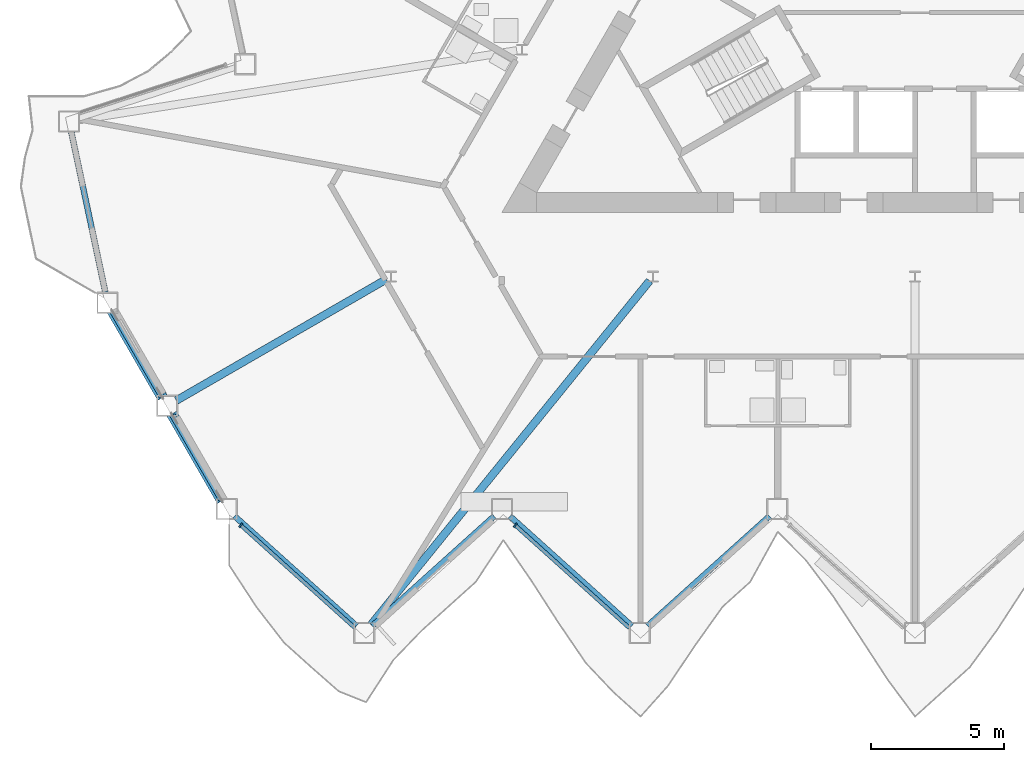
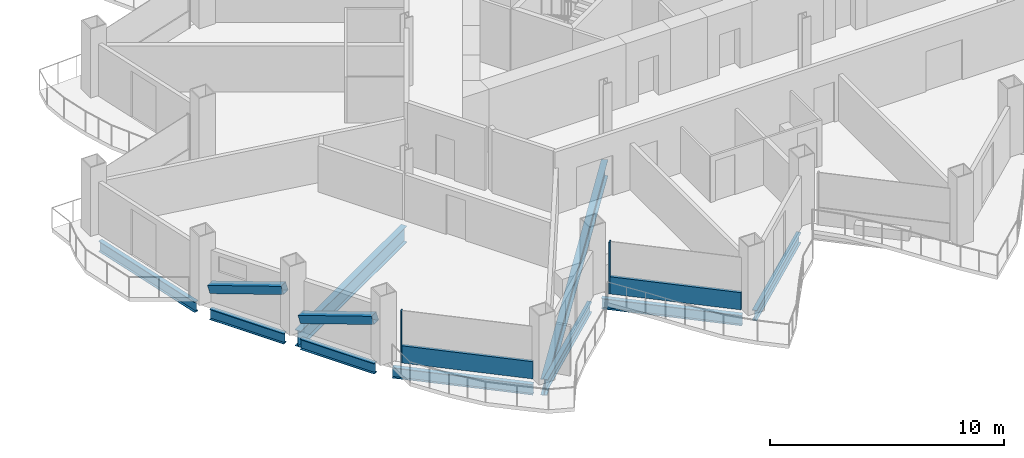
# One storey, part 3 of 24: 9 beams, 6 members, 2 elements without a shape of their own.
"""IFC4 building model written with IfcOpenShell, lengths in metres."""

from ifc_helpers import new_model, si_unit, direction, frame, origin, origin_2d, place, context, subcontext, project, spatial, rectangle, hollow_rectangle, i_section, extrude, material, layer, layer_set, material_profile, profile_set, type_object, element, aggregate, save


model = new_model("IFC4")

# Units and contexts
model_context = context("Model", 3, precision=1e-05, world=origin(), true_north=direction((0.0, 1.0)))
body_context = subcontext(model_context, "Body", "Model", "MODEL_VIEW")
ifc_project = project(units=[si_unit("LENGTHUNIT", "METRE"), si_unit("AREAUNIT", "SQUARE_METRE"), si_unit("VOLUMEUNIT", "CUBIC_METRE"), si_unit("PLANEANGLEUNIT", "RADIAN"), si_unit("MASSUNIT", "GRAM", prefix="KILO")], contexts=[model_context])

# Site, building, storey
site_placement = place(None, origin())
site = spatial("IfcSite", under=ifc_project, at=site_placement, CompositionType="ELEMENT")
building_placement = place(site_placement, origin())
building = spatial("IfcBuilding", under=site, at=building_placement, Name="Cormorant Prow Tower", CompositionType="ELEMENT")
storey_placement = place(building_placement, frame((0.0, 0.0, 205.199951171875)))
storey = spatial("IfcBuildingStorey", under=building, at=storey_placement, Name="L45", CompositionType="ELEMENT", Elevation=205.199951171875)

# Members
ifc_material_1 = material(Name="Structural steel ASTM A500 Gr C", Category="steel")
ifc_material_profile_1 = material_profile(ifc_material_1, hollow_rectangle(XDim=0.406494140625, YDim=0.406494140625, WallThickness=0.01171875, at=origin_2d()), Name="HSS16x16x1/2")
ifc_profile_set_1 = profile_set([ifc_material_profile_1], Name="Structural steel ASTM A500 Gr C")
member_type_1 = type_object("IfcMemberType", Name="Chamfer brace HSS16x16x1/2", PredefinedType="BRACE", material=ifc_profile_set_1)
member_1_placement = place(storey_placement, frame((-30.08544921875, -12.689453125, 0.739990234375), z_axis=(0.473983276796, -0.820989698857, 0.31830137871), x_axis=(0.866032413668, 0.499987858329, 0.0)))
element("IfcMember", 1, at=member_1_placement, inside=storey, type_object=member_type_1, Name="Chamfer brace BR2 at WSW00 L45", PredefinedType="BRACE", context=body_context, shape_type="SweptSolid", body=[
    extrude(hollow_rectangle(XDim=0.406494140625, YDim=0.406494140625, WallThickness=0.01171875, at=origin_2d()), origin(), (0.0, 0.0, 1.0), 3.8359375),
])
member_2_placement = place(storey_placement, frame((-27.850341796875, -16.56103515625, 0.739990234375), z_axis=(0.47400804529, -0.820968949664, 0.318318011883), x_axis=(0.866015628144, 0.500016931523, 0.0)))
element("IfcMember", 2, at=member_2_placement, inside=storey, type_object=member_type_1, Name="Chamfer brace BR2 at WSW01 L45", PredefinedType="BRACE", context=body_context, shape_type="SweptSolid", body=[
    extrude(hollow_rectangle(XDim=0.406494140625, YDim=0.406494140625, WallThickness=0.01171875, at=origin_2d()), origin(), (0.0, 0.0, 1.0), 3.835693359375),
])

# Curtain wall, member
ifc_material_2 = material(Name="Aluminium 6063-T6", Category="aluminium")
ifc_layer = layer(ifc_material_2, 0.179931640625)
ifc_layer_set = layer_set([ifc_layer], Name="Aluminium 6063-T6")
curtain_wall_type = type_object("IfcCurtainWallType", Name="Hotel unitised curtain wall 180", PredefinedType="NOTDEFINED", material=ifc_layer_set)
curtain_wall_1_placement = place(storey_placement, origin())
curtain_wall_1 = element("IfcCurtainWall", 3, at=curtain_wall_1_placement, inside=storey, type_object=curtain_wall_type, Name="Hotel curtain wall S00", PredefinedType="NOTDEFINED")
ifc_material_3 = material(Name="Aluminium 6063-T6", Category="aluminium")
ifc_material_profile_2 = material_profile(ifc_material_3, rectangle(XDim=0.179931640625, YDim=0.06005859375, at=origin_2d()), Name="Hotel mullion 60x180")
ifc_profile_set_2 = profile_set([ifc_material_profile_2], Name="Aluminium 6063-T6")
member_type_2 = type_object("IfcMemberType", Name="Hotel mullion 60x180", PredefinedType="MULLION", material=ifc_profile_set_2)
member_3_placement = place(storey_placement, frame((-25.295654296875, -20.68017578125, 0.0), z_axis=(0.0, 0.0, 1.0), x_axis=(0.669130667631, 0.743144770308, 0.0)))
member_3 = element("IfcMember", 4, at=member_3_placement, type_object=member_type_2, Name="Hotel mullion S00", PredefinedType="MULLION", context=body_context, shape_type="SweptSolid", body=[
    extrude(rectangle(XDim=0.179931640625, YDim=0.06005859375, at=origin_2d()), origin(), (0.0, 0.0, 1.0), 2.700927734375),
])

curtain_wall_2_placement = place(storey_placement, origin())
curtain_wall_2 = element("IfcCurtainWall", 5, at=curtain_wall_2_placement, inside=storey, type_object=curtain_wall_type, Name="Hotel curtain wall S02", PredefinedType="NOTDEFINED")
member_4_placement = place(storey_placement, frame((-14.999755859375, -20.68017578125, 0.0), z_axis=(0.0, 0.0, 1.0), x_axis=(0.669130667631, 0.743144770308, 0.0)))
member_4 = element("IfcMember", 6, at=member_4_placement, type_object=member_type_2, Name="Hotel mullion S02", PredefinedType="MULLION", context=body_context, shape_type="SweptSolid", body=[
    extrude(rectangle(XDim=0.179931640625, YDim=0.06005859375, at=origin_2d()), origin(), (0.0, 0.0, 1.0), 2.700927734375),
])

# Member
ifc_material_4 = material(Name="Terracotta", Category="masonry")
ifc_material_profile_3 = material_profile(ifc_material_4, rectangle(XDim=0.139892578125, YDim=0.89990234375, at=origin_2d()), Name="Hotel terracotta spandrel rail 140x900")
ifc_profile_set_3 = profile_set([ifc_material_profile_3], Name="Terracotta")
member_type_3 = type_object("IfcMemberType", Name="Hotel terracotta spandrel rail 140x900", PredefinedType="USERDEFINED", material=ifc_profile_set_3)
member_5_placement = place(storey_placement, frame((-25.2734375, -20.7001953125, 0.449951171875), z_axis=(0.743154335217, -0.669120044572, 0.0), x_axis=(0.669120044572, 0.743154335217, 0.0)))
member_5 = element("IfcMember", 7, at=member_5_placement, type_object=member_type_3, Name="Hotel spandrel rail S00", ObjectType="TRANSOM", PredefinedType="USERDEFINED", context=body_context, shape_type="SweptSolid", body=[
    extrude(rectangle(XDim=0.139892578125, YDim=0.89990234375, at=origin_2d()), origin(), (0.0, 0.0, 1.0), 5.7314453125),
])

aggregate(curtain_wall_1, [member_3, member_5])

member_6_placement = place(storey_placement, frame((-14.977294921875, -20.7001953125, 0.449951171875), z_axis=(0.743135262532, -0.669141226933, 0.0), x_axis=(0.669141226933, 0.743135262532, 0.0)))
member_6 = element("IfcMember", 8, at=member_6_placement, type_object=member_type_3, Name="Hotel spandrel rail S02", ObjectType="TRANSOM", PredefinedType="USERDEFINED", context=body_context, shape_type="SweptSolid", body=[
    extrude(rectangle(XDim=0.139892578125, YDim=0.89990234375, at=origin_2d()), origin(), (0.0, 0.0, 1.0), 5.731201171875),
])

aggregate(curtain_wall_2, [member_4, member_6])

# Beams
ifc_material_5 = material(Name="Structural steel ASTM A992 Gr 50", Category="steel")
ifc_material_profile_4 = material_profile(ifc_material_5, i_section(OverallWidth=0.29296875, OverallDepth=0.845703125, WebThickness=0.015380859375, FlangeThickness=0.0244140625, at=origin_2d()), Name="W33x141")
ifc_profile_set_4 = profile_set([ifc_material_profile_4], Name="Structural steel ASTM A992 Gr 50")
beam_type_1 = type_object("IfcBeamType", Name="Radial floor beam W33x141", PredefinedType="BEAM", material=ifc_profile_set_4)
beam_1_placement = place(storey_placement, frame((-19.833251953125, -11.45068359375, -0.77294921875), z_axis=(-0.866023373109, -0.500003517217, 0.0), x_axis=(0.500003517217, -0.866023373109, 0.0)))
element("IfcBeam", 9, at=beam_1_placement, inside=storey, type_object=beam_type_1, Name="Radial floor beam FB2 5 L45", PredefinedType="BEAM", context=body_context, shape_type="SweptSolid", body=[
    extrude(i_section(OverallWidth=0.29296875, OverallDepth=0.845703125, WebThickness=0.015380859375, FlangeThickness=0.0244140625, at=origin_2d()), origin(), (0.0, 0.0, 1.0), 9.09814453125),
])
beam_2_placement = place(storey_placement, frame((-9.95654296875, -11.50732421875, -0.77294921875), z_axis=(-0.629385162657, -0.777093505974, 0.0), x_axis=(0.777093505974, -0.629385162657, 0.0)))
element("IfcBeam", 10, at=beam_2_placement, inside=storey, type_object=beam_type_1, Name="Radial floor beam FB2 6 L45", PredefinedType="BEAM", context=body_context, shape_type="SweptSolid", body=[
    extrude(i_section(OverallWidth=0.29296875, OverallDepth=0.845703125, WebThickness=0.015380859375, FlangeThickness=0.0244140625, at=origin_2d()), origin(), (0.0, 0.0, 1.0), 16.6044921875),
])
ifc_material_6 = material(Name="Structural steel ASTM A992 Gr 50", Category="steel")
ifc_material_profile_5 = material_profile(ifc_material_6, i_section(OverallWidth=0.2138671875, OverallDepth=0.549072265625, WebThickness=0.0146484375, FlangeThickness=0.023681640625, at=origin_2d()), Name="W21x93")
ifc_profile_set_5 = profile_set([ifc_material_profile_5], Name="Structural steel ASTM A992 Gr 50")
beam_type_2 = type_object("IfcBeamType", Name="Spandrel beam W21x93", PredefinedType="SPANDREL", material=ifc_profile_set_5)
beam_3_placement = place(storey_placement, frame((-25.5263671875, -20.3388671875, -0.62451171875), z_axis=(0.743155953285, -0.669118247469, 0.0), x_axis=(0.669118247469, 0.743155953285, 0.0)))
element("IfcBeam", 11, at=beam_3_placement, inside=storey, type_object=beam_type_2, Name="Spandrel beam SB2 S00-S01 L45", PredefinedType="SPANDREL", context=body_context, shape_type="SweptSolid", body=[
    extrude(i_section(OverallWidth=0.2138671875, OverallDepth=0.549072265625, WebThickness=0.0146484375, FlangeThickness=0.023681640625, at=origin_2d()), origin(), (0.0, 0.0, 1.0), 6.14990234375),
])
for number, where, z_axis, x_axis, name in (
    (12, (-20.361572265625, -24.453857421875, -0.62451171875), (0.743138178716, 0.669137988261, 0.0), (-0.669137988261, 0.743138178716, 0.0), "Spandrel beam SB2 S01-S02 L45"),
    (13, (-15.19677734375, -20.3388671875, -0.62451171875), (0.743138178716, -0.669137988261, 0.0), (0.669137988261, 0.743138178716, 0.0), "Spandrel beam SB2 S02-S03 L45"),
):
    element("IfcBeam", number, at=place(storey_placement, frame(where, z_axis=z_axis, x_axis=x_axis)), inside=storey, type_object=beam_type_2, Name=name, PredefinedType="SPANDREL", context=body_context, shape_type="SweptSolid", body=[
        extrude(i_section(OverallWidth=0.2138671875, OverallDepth=0.549072265625, WebThickness=0.0146484375, FlangeThickness=0.023681640625, at=origin_2d()), origin(), (0.0, 0.0, 1.0), 6.149658203125),
    ])
beam_4_placement = place(storey_placement, frame((-10.0322265625, -24.453857421875, -0.62451171875), z_axis=(0.743155953285, 0.669118247469, 0.0), x_axis=(-0.669118247469, 0.743155953285, 0.0)))
element("IfcBeam", 14, at=beam_4_placement, inside=storey, type_object=beam_type_2, Name="Spandrel beam SB2 S03-S04 L45", PredefinedType="SPANDREL", context=body_context, shape_type="SweptSolid", body=[
    extrude(i_section(OverallWidth=0.2138671875, OverallDepth=0.549072265625, WebThickness=0.0146484375, FlangeThickness=0.023681640625, at=origin_2d()), origin(), (0.0, 0.0, 1.0), 6.14990234375),
])
beam_5_placement = place(storey_placement, frame((-31.65576171875, -5.921630859375, -0.62451171875), z_axis=(0.207904811195, -0.978149063018, 0.0), x_axis=(0.978149063018, 0.207904811195, 0.0)))
element("IfcBeam", 15, at=beam_5_placement, inside=storey, type_object=beam_type_2, Name="Spandrel beam SB2 WNW09-WSW00 L45", PredefinedType="SPANDREL", context=body_context, shape_type="SweptSolid", body=[
    extrude(i_section(OverallWidth=0.2138671875, OverallDepth=0.549072265625, WebThickness=0.0146484375, FlangeThickness=0.023681640625, at=origin_2d()), origin(), (0.0, 0.0, 1.0), 6.149658203125),
])
for number, where, z_axis, x_axis, name in (
    (16, (-30.093994140625, -12.674560546875, -0.62451171875), (0.499994986164, -0.866028298505, 0.0), (0.866028298505, 0.499994986164, 0.0), "Spandrel beam SB2 WSW00-WSW01 L45"),
    (17, (-27.85888671875, -16.546142578125, -0.62451171875), (0.499994986164, -0.866028298505, 0.0), (0.866028298505, 0.499994986164, 0.0), "Spandrel beam SB2 WSW01-S00 L45"),
):
    element("IfcBeam", number, at=place(storey_placement, frame(where, z_axis=z_axis, x_axis=x_axis)), inside=storey, type_object=beam_type_2, Name=name, PredefinedType="SPANDREL", context=body_context, shape_type="SweptSolid", body=[
        extrude(i_section(OverallWidth=0.2138671875, OverallDepth=0.549072265625, WebThickness=0.0146484375, FlangeThickness=0.023681640625, at=origin_2d()), origin(), (0.0, 0.0, 1.0), 3.67041015625),
    ])

save(model, "model.ifc")
